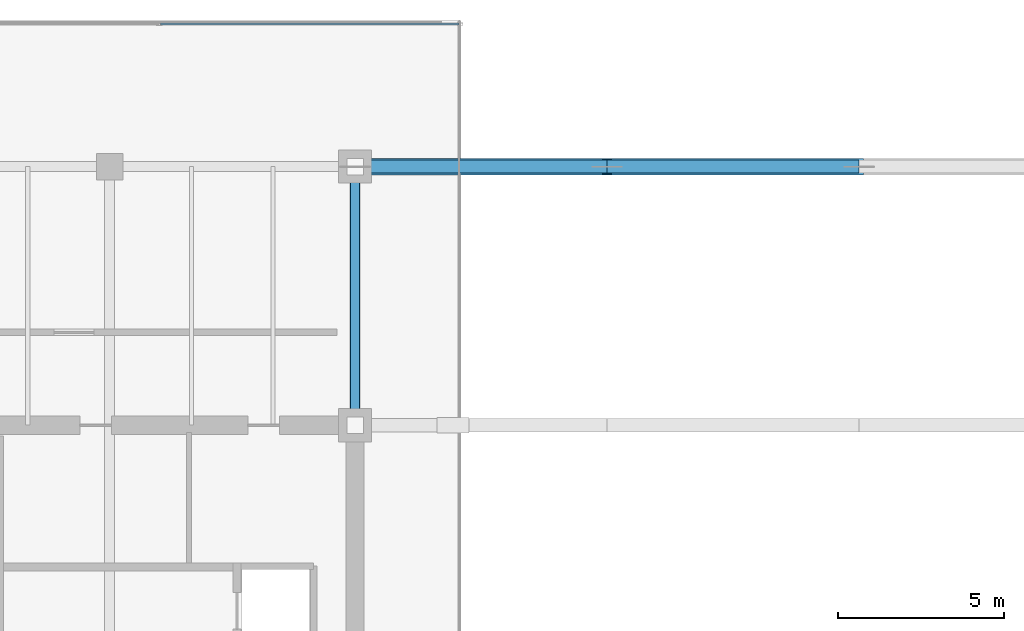
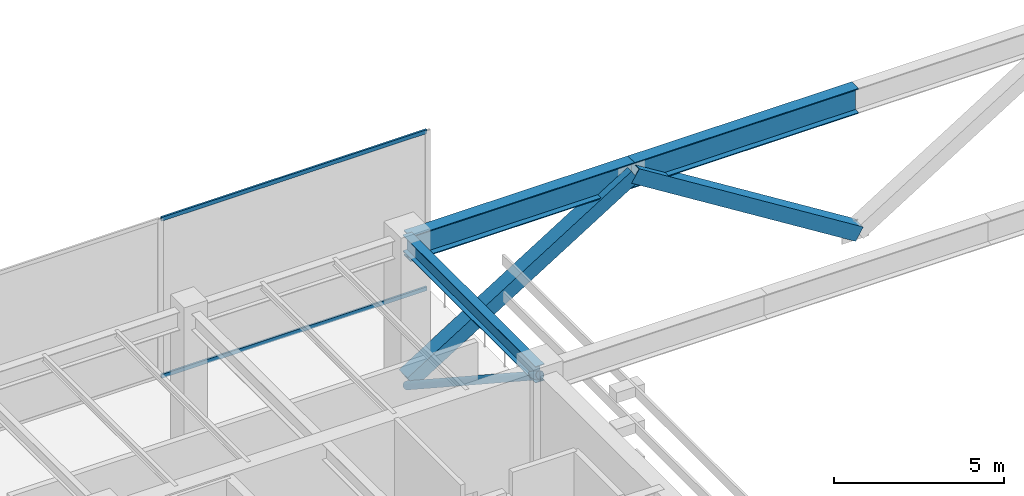
# One storey, part 14 of 30: 5 members, 3 beams, 1 element without a shape of its own.
"""IFC4 building model written with IfcOpenShell, lengths in metres."""

from ifc_helpers import new_model, si_unit, direction, frame, origin, origin_2d, place, context, subcontext, project, spatial, hollow_rectangle, hollow_circle, i_section, extrude, source, transform, mapped, material, layer, layer_set, material_profile, profile_set, type_object, type_shapes, element, aggregate, save


model = new_model("IFC4")

# Units and contexts
model_context = context("Model", 3, precision=1e-05, world=origin(), true_north=direction((0.0, 1.0)))
body_context = subcontext(model_context, "Body", "Model", "MODEL_VIEW")
ifc_project = project(units=[si_unit("LENGTHUNIT", "METRE"), si_unit("AREAUNIT", "SQUARE_METRE"), si_unit("VOLUMEUNIT", "CUBIC_METRE"), si_unit("PLANEANGLEUNIT", "RADIAN"), si_unit("MASSUNIT", "GRAM", prefix="KILO")], contexts=[model_context])

# Site, building, storey
site_placement = place(None, origin())
site = spatial("IfcSite", under=ifc_project, at=site_placement, CompositionType="ELEMENT")
building_placement = place(site_placement, origin())
building = spatial("IfcBuilding", under=site, at=building_placement, Name="Haelvirn Gate Laboratories", CompositionType="ELEMENT")
storey_placement = place(building_placement, frame((0.0, 0.0, 291.60009765625)))
storey = spatial("IfcBuildingStorey", under=building, at=storey_placement, Name="L70", CompositionType="ELEMENT", Elevation=291.60009765625)

# Beams
ifc_material_1 = material(Name="Steel SM420", Category="steel")
ifc_material_profile_1 = material_profile(ifc_material_1, i_section(OverallWidth=0.39990234375, OverallDepth=0.89990234375, WebThickness=0.01904296875, FlangeThickness=0.031982421875, at=origin_2d()), Name="H-900x400x19x32")
ifc_profile_set_1 = profile_set([ifc_material_profile_1], Name="Steel SM420")
beam_type_1 = type_object("IfcBeamType", Name="BM-TG-900", PredefinedType="BEAM", material=ifc_profile_set_1)
shared_shape_1 = source(origin(), body_context, "Body", "SweptSolid", [
    extrude(i_section(OverallWidth=0.39990234375, OverallDepth=0.89990234375, WebThickness=0.01904296875, FlangeThickness=0.031982421875, at=origin_2d()), origin(), (0.0, 0.0, 1.0), 7.60009765625),
])
beam_1_placement = place(storey_placement, frame((22.199951171875, 41.60009765625, 5.25), z_axis=(1.0, 0.0, 0.0), x_axis=(0.0, 1.0, 0.0)))
element("IfcBeam", 1, at=beam_1_placement, inside=storey, type_object=beam_type_1, Name="L71 Arch Bridge Bottom Tie Chord Y41.6-1", PredefinedType="BEAM", context=body_context, shape_type="MappedRepresentation", body=[
    mapped(shared_shape_1, transform((0.0, 0.0, 0.0), scale=1.0)),
])
shared_shape_2 = source(origin(), body_context, "Body", "SweptSolid", [
    extrude(i_section(OverallWidth=0.39990234375, OverallDepth=0.89990234375, WebThickness=0.01904296875, FlangeThickness=0.031982421875, at=origin_2d()), origin(), (0.0, 0.0, 1.0), 7.599853515625),
])
type_shapes(beam_type_1, [shared_shape_1, shared_shape_2])
beam_2_placement = place(storey_placement, frame((29.800048828125, 41.60009765625, 5.25), z_axis=(1.0, 0.0, 0.0), x_axis=(0.0, 1.0, 0.0)))
element("IfcBeam", 2, at=beam_2_placement, inside=storey, type_object=beam_type_1, Name="L71 Arch Bridge Bottom Tie Chord Y41.6-2", PredefinedType="BEAM", context=body_context, shape_type="MappedRepresentation", body=[
    mapped(shared_shape_2, transform((0.0, 0.0, 0.0), scale=1.0)),
])
ifc_material_2 = material(Name="Steel SM355", Category="steel")
ifc_material_profile_2 = material_profile(ifc_material_2, i_section(OverallWidth=0.300048828125, OverallDepth=0.587890625, WebThickness=0.011962890625, FlangeThickness=0.02001953125, at=origin_2d()), Name="H-588x300x12x20")
ifc_profile_set_2 = profile_set([ifc_material_profile_2], Name="Steel SM355")
beam_type_2 = type_object("IfcBeamType", Name="BM-G-588", PredefinedType="BEAM", material=ifc_profile_set_2)
shared_shape_3 = source(origin(), body_context, "Body", "SweptSolid", [
    extrude(i_section(OverallWidth=0.300048828125, OverallDepth=0.587890625, WebThickness=0.011962890625, FlangeThickness=0.02001953125, at=origin_2d()), origin(), (0.0, 0.0, 1.0), 7.800048828125),
])
type_shapes(beam_type_2, [shared_shape_3])
beam_3_placement = place(storey_placement, frame((22.199951171875, 33.800048828125, 5.406005859375), z_axis=(0.0, 1.0, 0.0), x_axis=(-1.0, 0.0, 0.0)))
element("IfcBeam", 3, at=beam_3_placement, inside=storey, type_object=beam_type_2, Name="L70 Frame Girder X22.2 (33.8-41.6)", PredefinedType="BEAM", context=body_context, shape_type="MappedRepresentation", body=[
    mapped(shared_shape_3, transform((0.0, 0.0, 0.0), scale=1.0)),
])

# Members
ifc_material_profile_3 = material_profile(ifc_material_2, hollow_circle(Radius=0.136474609375, WallThickness=0.011962890625, at=origin_2d()), Name="CHS-273x12")
ifc_profile_set_3 = profile_set([ifc_material_profile_3], Name="Steel SM355")
member_type_1 = type_object("IfcMemberType", Name="MEM-TURB-BRACE", PredefinedType="STRUT", material=ifc_profile_set_3)
shared_shape_4 = source(origin(), body_context, "Body", "SweptSolid", [
    extrude(hollow_circle(Radius=0.136474609375, WallThickness=0.011962890625, at=origin_2d()), origin(), (0.0, 0.0, 1.0), 9.3193359375),
])
type_shapes(member_type_1, [shared_shape_4])
member_1_placement = place(storey_placement, frame((22.199951171875, 33.800048828125, 5.349853515625), z_axis=(0.0, 0.836978382505, -0.547235952053), x_axis=(-1.0, 0.0, 0.0)))
element("IfcMember", 4, at=member_1_placement, inside=storey, type_object=member_type_1, Name="L70 Wind-Turbine Portal Primary Brace W-N", PredefinedType="STRUT", context=body_context, shape_type="MappedRepresentation", body=[
    mapped(shared_shape_4, transform((0.0, 0.0, 0.0), scale=1.0)),
])
ifc_material_profile_4 = material_profile(ifc_material_1, hollow_rectangle(XDim=0.5, YDim=0.5, WallThickness=0.02197265625, at=origin_2d()), Name="BOX-500x500x22")
ifc_profile_set_4 = profile_set([ifc_material_profile_4], Name="Steel SM420")
member_type_2 = type_object("IfcMemberType", Name="MEM-ARCH-WEB", PredefinedType="BRACE", material=ifc_profile_set_4)
shared_shape_5 = source(origin(), body_context, "Body", "SweptSolid", [
    extrude(hollow_rectangle(XDim=0.5, YDim=0.5, WallThickness=0.02197265625, at=origin_2d()), origin(), (0.0, 0.0, 1.0), 8.96240234375),
])
member_2_placement = place(storey_placement, frame((22.199951171875, 41.60009765625, 0.5), z_axis=(0.848001364738, 0.0, 0.529994042799), x_axis=(0.0, 1.0, 0.0)))
element("IfcMember", 5, at=member_2_placement, inside=storey, type_object=member_type_2, Name="L70 Arch Bridge Sub-Truss Web Y41.6-1", PredefinedType="BRACE", context=body_context, shape_type="MappedRepresentation", body=[
    mapped(shared_shape_5, transform((0.0, 0.0, 0.0), scale=1.0)),
])
shared_shape_6 = source(origin(), body_context, "Body", "SweptSolid", [
    extrude(hollow_rectangle(XDim=0.5, YDim=0.5, WallThickness=0.02197265625, at=origin_2d()), origin(), (0.0, 0.0, 1.0), 8.962158203125),
])
type_shapes(member_type_2, [shared_shape_5, shared_shape_6])
member_3_placement = place(storey_placement, frame((29.800048828125, 41.60009765625, 5.25), z_axis=(0.847993712747, 0.0, -0.530006285946), x_axis=(0.0, 1.0, 0.0)))
element("IfcMember", 6, at=member_3_placement, inside=storey, type_object=member_type_2, Name="L70 Arch Bridge Sub-Truss Web Y41.6-2", PredefinedType="BRACE", context=body_context, shape_type="MappedRepresentation", body=[
    mapped(shared_shape_6, transform((0.0, 0.0, 0.0), scale=1.0)),
])

# Curtain wall, members
ifc_material_3 = material(Name="Anodised bronze unitised aluminium & triple low-E glass", Category="aluminium")
ifc_layer = layer(ifc_material_3, 0.176025390625, Name="CW-SYS-4")
ifc_layer_set = layer_set([ifc_layer], Name="Anodised bronze unitised aluminium & triple low-E glass")
curtain_wall_type = type_object("IfcCurtainWallType", Name="CW-SYS-4", PredefinedType="NOTDEFINED", material=ifc_layer_set)
curtain_wall_placement = place(storey_placement, origin())
curtain_wall = element("IfcCurtainWall", 7, at=curtain_wall_placement, inside=storey, type_object=curtain_wall_type, Name="L70 Unitised Curtain Wall CW-L70-P0-E02-1", PredefinedType="NOTDEFINED")
ifc_material_4 = material(Name="Extruded aluminium 6063-T6 (anodised bronze)", Category="aluminium")
ifc_material_profile_5 = material_profile(ifc_material_4, hollow_rectangle(XDim=0.06494140625, YDim=0.139892578125, WallThickness=0.00390625, at=origin_2d()), Name="CWT-140x65x4")
ifc_profile_set_5 = profile_set([ifc_material_profile_5], Name="Extruded aluminium 6063-T6 (anodised bronze)")
member_type_3 = type_object("IfcMemberType", Name="CWT-T140", PredefinedType="USERDEFINED", material=ifc_profile_set_5)
shared_shape_7 = source(origin(), body_context, "Body", "SweptSolid", [
    extrude(hollow_rectangle(XDim=0.06494140625, YDim=0.139892578125, WallThickness=0.00390625, at=origin_2d()), origin(), (0.0, 0.0, 1.0), 8.9951171875),
])
type_shapes(member_type_3, [shared_shape_7])
member_4_placement = place(storey_placement, frame((16.3349609375, 45.89990234375, 0.032470703125), z_axis=(1.0, 0.0, 0.0), x_axis=(0.0, 1.0, 0.0)))
member_4 = element("IfcMember", 8, at=member_4_placement, type_object=member_type_3, Name="CW4 transom 2.1", ObjectType="TRANSOM", PredefinedType="USERDEFINED", context=body_context, shape_type="MappedRepresentation", body=[
    mapped(shared_shape_7, transform((0.0, 0.0, 0.0), scale=1.0)),
])
member_5_placement = place(storey_placement, frame((16.3349609375, 45.89990234375, 5.66748046875), z_axis=(1.0, 0.0, 0.0), x_axis=(0.0, 1.0, 0.0)))
member_5 = element("IfcMember", 9, at=member_5_placement, type_object=member_type_3, Name="CW4 transom 2.2", ObjectType="TRANSOM", PredefinedType="USERDEFINED", context=body_context, shape_type="MappedRepresentation", body=[
    mapped(shared_shape_7, transform((0.0, 0.0, 0.0), scale=1.0)),
])
aggregate(curtain_wall, [member_4, member_5])

save(model, "model.ifc")
